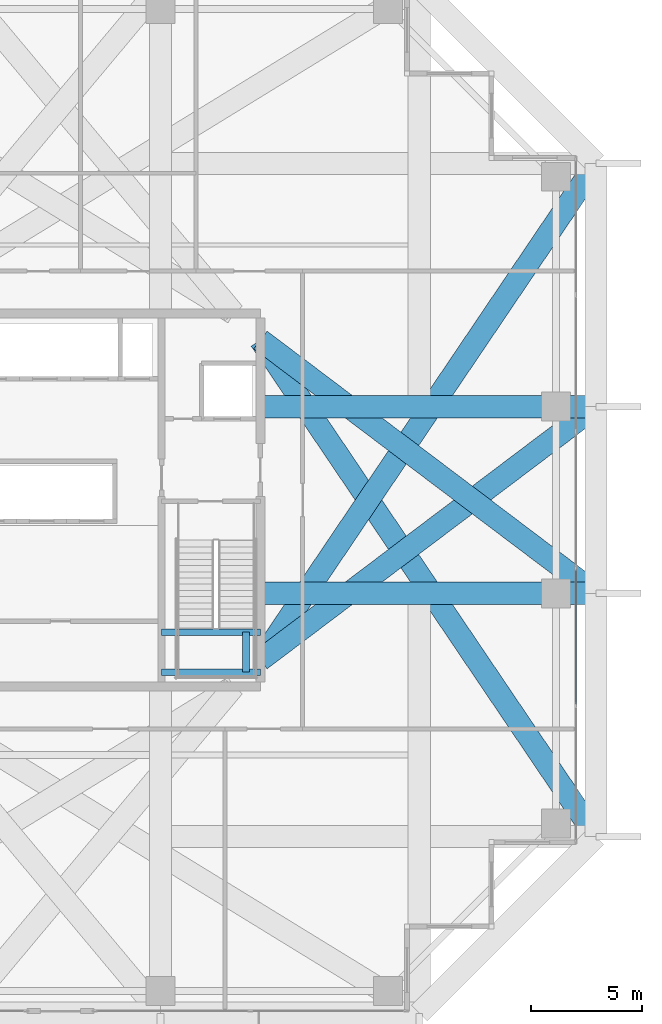
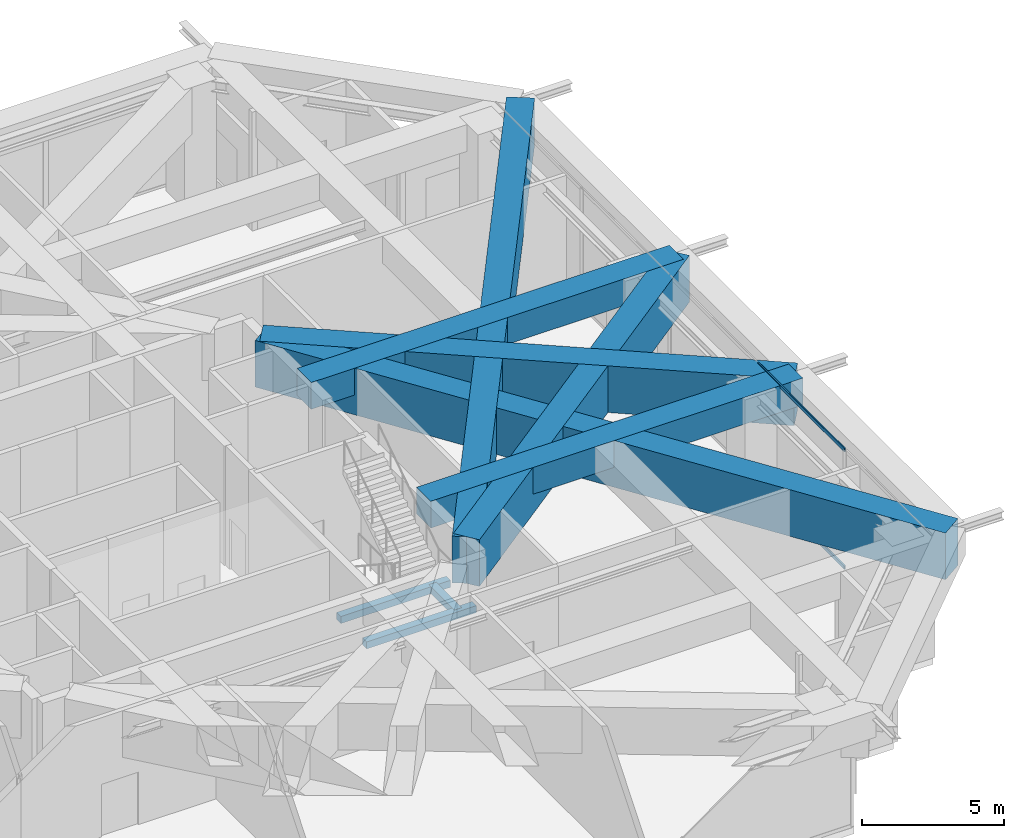
# One storey, part 14 of 38: 9 beams, 2 members, 1 element without a shape of its own.
"""IFC4 building model written with IfcOpenShell, lengths in metres."""

from ifc_helpers import new_model, si_unit, direction, frame, origin, origin_2d, place, context, subcontext, project, spatial, rectangle, hollow_rectangle, extrude, source, transform, mapped, material, layer, layer_set, material_profile, profile_set, type_object, element, aggregate, save


model = new_model("IFC4")

# Units and contexts
model_context = context("Model", 3, precision=1e-05, world=origin(), true_north=direction((0.0, 1.0)))
body_context = subcontext(model_context, "Body", "Model", "MODEL_VIEW")
ifc_project = project(units=[si_unit("LENGTHUNIT", "METRE"), si_unit("AREAUNIT", "SQUARE_METRE"), si_unit("VOLUMEUNIT", "CUBIC_METRE"), si_unit("PLANEANGLEUNIT", "RADIAN"), si_unit("MASSUNIT", "GRAM", prefix="KILO")], contexts=[model_context])

# Site, building, storey
site_placement = place(None, origin())
site = spatial("IfcSite", under=ifc_project, at=site_placement, CompositionType="ELEMENT")
building_placement = place(site_placement, origin())
building = spatial("IfcBuilding", under=site, at=building_placement, Name="Serunith Strait Residences", CompositionType="ELEMENT")
storey_placement = place(building_placement, frame((0.0, 0.0, 204.89990234375)))
storey = spatial("IfcBuildingStorey", under=building, at=storey_placement, Name="L51", CompositionType="ELEMENT", Elevation=204.89990234375)

# Beams
ifc_material_1 = material(Name="Concrete C80/95", Category="concrete")
ifc_material_profile_1 = material_profile(ifc_material_1, rectangle(XDim=1.0, YDim=1.14990234375, at=origin_2d()), Name="RC 1000x1150")
ifc_profile_set_1 = profile_set([ifc_material_profile_1], Name="Concrete C80/95")
beam_type_1 = type_object("IfcBeamType", Name="BM-XFER-1000x1150", PredefinedType="BEAM", material=ifc_profile_set_1)
shared_shape_1 = source(origin(), body_context, "Body", "SweptSolid", [
    extrude(rectangle(XDim=1.0, YDim=1.14990234375, at=origin_2d()), origin(), (0.0, 0.0, 1.0), 15.10009765625),
])
for number, where, z_axis, x_axis, name in (
    (1, (41.39990234375, 21.0, 4.53515625), (1.0, 0.0, 0.0), (0.0, 1.0, 0.0), "L51 Primary Floor Girder TC-E2"),
    (2, (41.39990234375, 29.39990234375, 4.53515625), (1.0, 0.0, 0.0), (0.0, 1.0, 0.0), "L51 Primary Floor Girder TC-E3"),
):
    element("IfcBeam", number, at=place(storey_placement, frame(where, z_axis=z_axis, x_axis=x_axis)), inside=storey, type_object=beam_type_1, Name=name, PredefinedType="BEAM", context=body_context, shape_type="MappedRepresentation", body=[
        mapped(shared_shape_1, transform((0.0, 0.0, 0.0), scale=1.0)),
    ])
ifc_material_profile_2 = material_profile(ifc_material_1, rectangle(XDim=1.0, YDim=2.0, at=origin_2d()), Name="RC 1000x2000")
ifc_profile_set_2 = profile_set([ifc_material_profile_2], Name="Concrete C80/95")
beam_type_2 = type_object("IfcBeamType", Name="BM-XFER-1000x2000", PredefinedType="BEAM", material=ifc_profile_set_2)
shared_shape_2 = source(origin(), body_context, "Body", "SweptSolid", [
    extrude(rectangle(XDim=1.0, YDim=2.0, at=origin_2d()), origin(), (0.0, 0.0, 1.0), 26.97265625),
])
beam_1_placement = place(storey_placement, frame((41.39990234375, 32.39990234375, 4.110107421875), z_axis=(0.559828018898, -0.828608827648, 0.0), x_axis=(0.828608827648, 0.559828018898, 0.0)))
element("IfcBeam", 3, at=beam_1_placement, inside=storey, type_object=beam_type_2, Name="L51 Flare Transfer Girder TC-E1", PredefinedType="BEAM", context=body_context, shape_type="MappedRepresentation", body=[
    mapped(shared_shape_2, transform((0.0, 0.0, 0.0), scale=1.0)),
])
shared_shape_3 = source(origin(), body_context, "Body", "SweptSolid", [
    extrude(rectangle(XDim=1.0, YDim=2.0, at=origin_2d()), origin(), (0.0, 0.0, 1.0), 18.920166015625),
])
for number, where, z_axis, x_axis, name in (
    (4, (41.39990234375, 32.39990234375, 4.110107421875), (0.798097594364, -0.602528198403, 0.0), (0.602528198403, 0.798097594364, 0.0), "L51 Flare Transfer Girder TC-E2"),
    (5, (41.39990234375, 18.0, 4.110107421875), (0.798097594364, 0.602528198403, 0.0), (-0.602528198403, 0.798097594364, 0.0), "L51 Flare Transfer Girder TC-E3"),
):
    element("IfcBeam", number, at=place(storey_placement, frame(where, z_axis=z_axis, x_axis=x_axis)), inside=storey, type_object=beam_type_2, Name=name, PredefinedType="BEAM", context=body_context, shape_type="MappedRepresentation", body=[
        mapped(shared_shape_3, transform((0.0, 0.0, 0.0), scale=1.0)),
    ])
shared_shape_4 = source(origin(), body_context, "Body", "SweptSolid", [
    extrude(rectangle(XDim=1.0, YDim=2.0, at=origin_2d()), origin(), (0.0, 0.0, 1.0), 26.972900390625),
])
beam_2_placement = place(storey_placement, frame((41.39990234375, 18.0, 4.110107421875), z_axis=(0.559823820181, 0.828611664387, 0.0), x_axis=(-0.828611664387, 0.559823820181, 0.0)))
element("IfcBeam", 6, at=beam_2_placement, inside=storey, type_object=beam_type_2, Name="L51 Flare Transfer Girder TC-E4", PredefinedType="BEAM", context=body_context, shape_type="MappedRepresentation", body=[
    mapped(shared_shape_4, transform((0.0, 0.0, 0.0), scale=1.0)),
])
ifc_material_2 = material(Name="Concrete C60/75", Category="concrete")
ifc_material_profile_3 = material_profile(ifc_material_2, rectangle(XDim=0.300048828125, YDim=0.300048828125, at=origin_2d()), Name="RC 300x300")
ifc_profile_set_3 = profile_set([ifc_material_profile_3], Name="Concrete C60/75")
beam_type_3 = type_object("IfcBeamType", Name="BM-LAND-300x300", PredefinedType="BEAM", material=ifc_profile_set_3)
shared_shape_5 = source(origin(), body_context, "Body", "SweptSolid", [
    extrude(rectangle(XDim=0.300048828125, YDim=0.300048828125, at=origin_2d()), origin(), (0.0, 0.0, 1.0), 1.800048828125),
])
beam_3_placement = place(storey_placement, frame((40.75, 17.449951171875, 2.425048828125), z_axis=(0.0, 1.0, 0.0), x_axis=(-1.0, 0.0, 0.0)))
element("IfcBeam", 7, at=beam_3_placement, inside=storey, type_object=beam_type_3, Name="L51 ST-2 Landing Transverse Tie Beam", PredefinedType="BEAM", context=body_context, shape_type="MappedRepresentation", body=[
    mapped(shared_shape_5, transform((0.0, 0.0, 0.0), scale=1.0)),
])
shared_shape_6 = source(origin(), body_context, "Body", "SweptSolid", [
    extrude(rectangle(XDim=0.300048828125, YDim=0.300048828125, at=origin_2d()), origin(), (0.0, 0.0, 1.0), 4.449951171875),
])
for number, where, z_axis, x_axis, name in (
    (8, (36.949951171875, 17.449951171875, 2.425048828125), (1.0, 0.0, 0.0), (0.0, 1.0, 0.0), "L51 ST-2 Landing Support Beam 1"),
    (9, (36.949951171875, 19.25, 2.425048828125), (1.0, 0.0, 0.0), (0.0, 1.0, 0.0), "L51 ST-2 Landing Support Beam 2"),
):
    element("IfcBeam", number, at=place(storey_placement, frame(where, z_axis=z_axis, x_axis=x_axis)), inside=storey, type_object=beam_type_3, Name=name, PredefinedType="BEAM", context=body_context, shape_type="MappedRepresentation", body=[
        mapped(shared_shape_6, transform((0.0, 0.0, 0.0), scale=1.0)),
    ])

# Curtain wall, members
ifc_material_3 = material(Name="Pale-Silver PVDF Aluminium", Category="aluminium")
ifc_layer = layer(ifc_material_3, 0.199951171875, Name="Pale-Silver PVDF Aluminium")
ifc_layer_set = layer_set([ifc_layer], Name="Pale-Silver PVDF Aluminium")
curtain_wall_type = type_object("IfcCurtainWallType", Name="CW-SYS3", PredefinedType="NOTDEFINED", material=ifc_layer_set)
curtain_wall_placement = place(storey_placement, origin())
curtain_wall = element("IfcCurtainWall", 10, at=curtain_wall_placement, inside=storey, type_object=curtain_wall_type, Name="L51 E Unitised Fritted Curtain Wall", PredefinedType="NOTDEFINED")
ifc_material_profile_4 = material_profile(ifc_material_3, hollow_rectangle(XDim=0.06005859375, YDim=0.159912109375, WallThickness=0.00341796875, InnerFilletRadius=0.00537109375, OuterFilletRadius=0.0087890625, at=origin_2d()), Name="ALU 160x60x3.5")
ifc_profile_set_4 = profile_set([ifc_material_profile_4], Name="Pale-Silver PVDF Aluminium")
member_type = type_object("IfcMemberType", Name="CW-SYS3-TRAN", PredefinedType="USERDEFINED", material=ifc_profile_set_4)
shared_shape_7 = source(origin(), body_context, "Body", "SweptSolid", [
    extrude(hollow_rectangle(XDim=0.06005859375, YDim=0.159912109375, WallThickness=0.00341796875, InnerFilletRadius=0.00537109375, OuterFilletRadius=0.0087890625, at=origin_2d()), origin(), (0.0, 0.0, 1.0), 6.0849609375),
])
member_1_placement = place(storey_placement, frame((55.60009765625, 15.99755859375, 0.030029296875), z_axis=(0.0, 1.0, 0.0), x_axis=(-1.0, 0.0, 0.0)))
member_1 = element("IfcMember", 11, at=member_1_placement, type_object=member_type, Name="CW-3 transom 2.1", ObjectType="TRANSOM", PredefinedType="USERDEFINED", context=body_context, shape_type="MappedRepresentation", body=[
    mapped(shared_shape_7, transform((0.0, 0.0, 0.0), scale=1.0)),
])
member_2_placement = place(storey_placement, frame((55.60009765625, 15.99755859375, 5.065185546875), z_axis=(0.0, 1.0, 0.0), x_axis=(-1.0, 0.0, 0.0)))
member_2 = element("IfcMember", 12, at=member_2_placement, type_object=member_type, Name="CW-3 transom 2.2", ObjectType="TRANSOM", PredefinedType="USERDEFINED", context=body_context, shape_type="MappedRepresentation", body=[
    mapped(shared_shape_7, transform((0.0, 0.0, 0.0), scale=1.0)),
])
aggregate(curtain_wall, [member_1, member_2])

save(model, "model.ifc")
